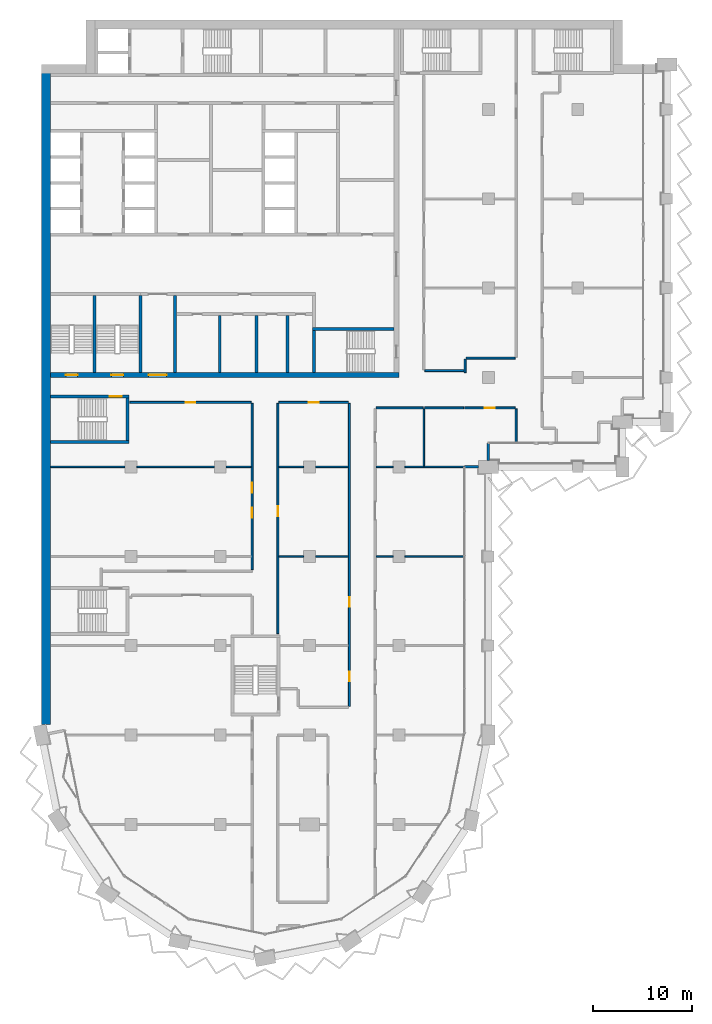
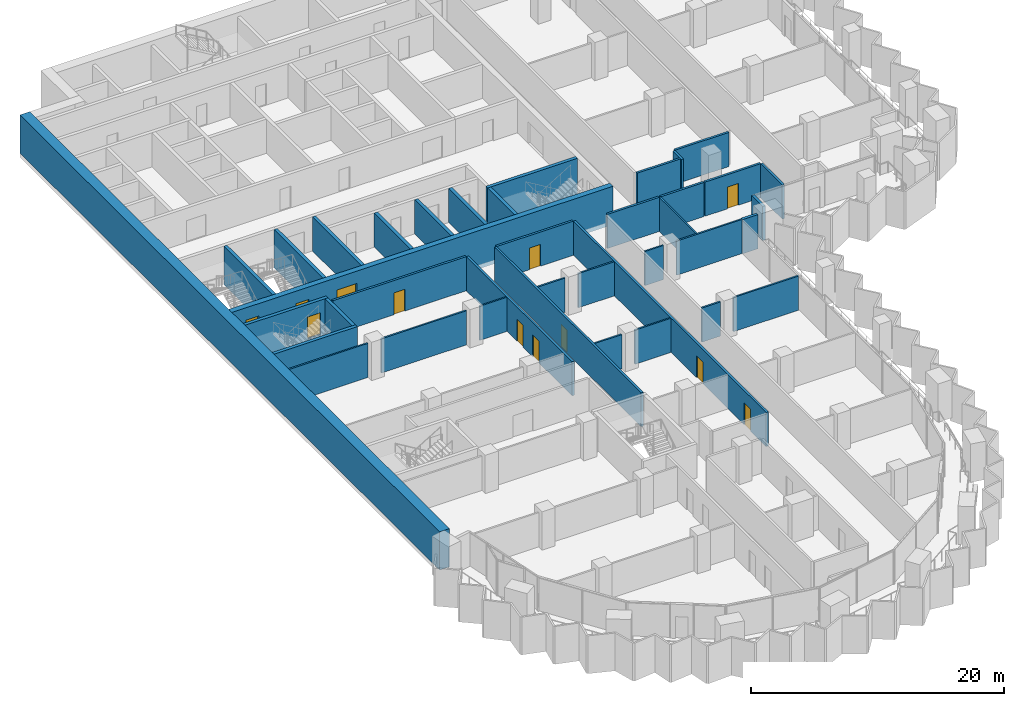
# One storey, part 12 of 23: 39 walls, 12 doors, 12 openings.
"""IFC4 building model written with IfcOpenShell, lengths in metres."""

from ifc_helpers import new_model, si_unit, direction, frame, frame_2d, origin, place, context, subcontext, project, spatial, rectangle, extrude, material, layer, layer_set, type_object, element, fill, save


model = new_model("IFC4")

# Units and contexts
model_context = context("Model", 3, precision=1e-05, world=origin(), true_north=direction((0.0, 1.0)))
body_context = subcontext(model_context, "Body", "Model", "MODEL_VIEW")
ifc_project = project(units=[si_unit("LENGTHUNIT", "METRE"), si_unit("AREAUNIT", "SQUARE_METRE"), si_unit("VOLUMEUNIT", "CUBIC_METRE"), si_unit("PLANEANGLEUNIT", "RADIAN"), si_unit("MASSUNIT", "GRAM", prefix="KILO")], contexts=[model_context])

# Site, building, storey
site_placement = place(None, origin())
site = spatial("IfcSite", under=ifc_project, at=site_placement, CompositionType="ELEMENT")
building_placement = place(site_placement, origin())
building = spatial("IfcBuilding", under=site, at=building_placement, Name="Hunhe Ridgeline Campus", CompositionType="ELEMENT")
storey_placement = place(building_placement, frame((0.0, 0.0, 170.800048828125)))
storey = spatial("IfcBuildingStorey", under=building, at=storey_placement, Name="L43", CompositionType="ELEMENT", Elevation=170.800048828125)

# Walls
ifc_material_1 = material(Name="Masonry concrete blockwork", Category="masonry")
ifc_layer_1 = layer(ifc_material_1, 0.300048828125)
ifc_layer_set_1 = layer_set([ifc_layer_1], Name="Core room partition 300 concrete block")
wall_type_1 = type_object("IfcWallType", Name="Core room partition 300 concrete block", PredefinedType="PARTITIONING", material=ifc_layer_set_1)
wall_1_placement = place(storey_placement, frame((13.449951171875, 63.5, 0.0), z_axis=(0.0, 0.0, 1.0), x_axis=(0.0, 1.0, 0.0)))
element("IfcWall", 1, at=wall_1_placement, inside=storey, type_object=wall_type_1, Name="L43 core partition 43", PredefinedType="PARTITIONING", context=body_context, shape_type="SweptSolid", body=[
    extrude(rectangle(XDim=7.75, YDim=0.300048828125, at=frame_2d((3.875, 0.0))), origin(), (0.0, 0.0, 1.0), 3.300048828125),
])
for number, where, z_axis, x_axis, name in (
    (2, (17.949951171875, 63.5, 0.0), (0.0, 0.0, 1.0), (0.0, 1.0, 0.0), "L43 core partition 46"),
    (3, (21.64990234375, 63.5, 0.0), (0.0, 0.0, 1.0), (0.0, 1.0, 0.0), "L43 core partition 48"),
    (4, (24.75, 63.5, 0.0), (0.0, 0.0, 1.0), (0.0, 1.0, 0.0), "L43 core partition 53"),
):
    element("IfcWall", number, at=place(storey_placement, frame(where, z_axis=z_axis, x_axis=x_axis)), inside=storey, type_object=wall_type_1, Name=name, PredefinedType="PARTITIONING", context=body_context, shape_type="SweptSolid", body=[
        extrude(rectangle(XDim=5.75, YDim=0.300048828125, at=frame_2d((2.875, 0.0))), origin(), (0.0, 0.0, 1.0), 3.300048828125),
    ])

# Wall, openings, doors
ifc_material_2 = material(Name="Concrete C70", Category="concrete")
ifc_layer_2 = layer(ifc_material_2, 0.5)
ifc_layer_set_2 = layer_set([ifc_layer_2], Name="Core wall 500 reinforced concrete C70")
wall_type_2 = type_object("IfcWallType", Name="Core wall 500 reinforced concrete C70", PredefinedType="SOLIDWALL", material=ifc_layer_set_2)
wall_2_placement = place(storey_placement, frame((0.89990234375, 63.25, -0.400146484375), z_axis=(0.0, 0.0, 1.0), x_axis=(1.0, 0.0, 0.0)))
wall_2 = element("IfcWall", 5, at=wall_2_placement, inside=storey, type_object=wall_type_2, Name="L43 core wall 7", PredefinedType="SOLIDWALL", context=body_context, shape_type="SweptSolid", body=[
    extrude(rectangle(XDim=35.10009765625, YDim=0.5, at=frame_2d((17.550048828125, 0.0))), origin(), (0.0, 0.0, 1.0), 3.7001953125),
])
opening_1_placement = place(wall_2_placement, frame((9.89990234375, 0.0, 0.39990234375)))
opening_1 = element("IfcOpeningElement", 6, at=opening_1_placement, cuts=wall_2, Name="Opening CD6", PredefinedType="OPENING", context=body_context, shape_type="SweptSolid", body=[
    extrude(rectangle(XDim=1.800048828125, YDim=2.10009765625, at=frame_2d((0.89990234375, 1.050048828125))), frame((0.0, 0.25, 0.0), z_axis=(0.0, -1.0, 0.0), x_axis=(1.0, 0.0, 0.0)), (0.0, 0.0, 1.0), 0.5),
])
opening_2_placement = place(wall_2_placement, frame((1.550048828125, 0.0, 0.39990234375)))
opening_2 = element("IfcOpeningElement", 7, at=opening_2_placement, cuts=wall_2, Name="Opening CD13", PredefinedType="OPENING", context=body_context, shape_type="SweptSolid", body=[
    extrude(rectangle(XDim=1.199951171875, YDim=2.10009765625, at=frame_2d((0.60009765625, 1.050048828125))), frame((0.0, 0.25, 0.0), z_axis=(0.0, -1.0, 0.0), x_axis=(1.0, 0.0, 0.0)), (0.0, 0.0, 1.0), 0.5),
])
opening_3_placement = place(wall_2_placement, frame((6.14990234375, 0.0, 0.39990234375)))
opening_3 = element("IfcOpeningElement", 8, at=opening_3_placement, cuts=wall_2, Name="Opening CD14", PredefinedType="OPENING", context=body_context, shape_type="SweptSolid", body=[
    extrude(rectangle(XDim=1.199951171875, YDim=2.10009765625, at=frame_2d((0.60009765625, 1.050048828125))), frame((0.0, 0.25, 0.0), z_axis=(0.0, -1.0, 0.0), x_axis=(1.0, 0.0, 0.0)), (0.0, 0.0, 1.0), 0.5),
])
ifc_material_3 = material(Name="Anodised aluminium and glass", Category="aluminium")
door_type_1 = type_object("IfcDoorType", Name="Glazed double door 1800x2100", OperationType="DOUBLE_DOOR_SINGLE_SWING", PredefinedType="DOOR", material=ifc_material_3)
door_1_placement = place(opening_1_placement, frame((1.800048828125, 0.0, 0.0), z_axis=(0.0, 0.0, 1.0), x_axis=(-1.0, 0.0, 0.0)))
door_1 = element("IfcDoor", 9, at=door_1_placement, inside=storey, type_object=door_type_1, Name="L43 door VEST-FLOOR", OperationType="DOUBLE_DOOR_SINGLE_SWING", OverallHeight=2.10009765625, OverallWidth=1.800048828125, PredefinedType="DOOR", context=body_context, shape_type="SweptSolid", body=[
    extrude(rectangle(XDim=1.800048828125, YDim=2.10009765625, at=frame_2d((0.89990234375, 1.050048828125))), frame((0.0, 0.02490234375, 0.0), z_axis=(0.0, -1.0, 0.0), x_axis=(1.0, 0.0, 0.0)), (0.0, 0.0, 1.0), 0.050048828125),
])
fill(opening_1, door_1)
ifc_material_4 = material(Name="Hollow metal fire door leaf")
door_type_2 = type_object("IfcDoorType", Name="Stair door 1200x2100 FD60", OperationType="SINGLE_SWING_LEFT", PredefinedType="DOOR", material=ifc_material_4)
door_2_placement = place(opening_2_placement, frame((1.199951171875, 0.0, 0.0), z_axis=(0.0, 0.0, 1.0), x_axis=(-1.0, 0.0, 0.0)))
door_2 = element("IfcDoor", 10, at=door_2_placement, inside=storey, type_object=door_type_2, Name="L43 door S3", OperationType="SINGLE_SWING_RIGHT", OverallHeight=2.10009765625, OverallWidth=1.199951171875, PredefinedType="DOOR", context=body_context, shape_type="SweptSolid", body=[
    extrude(rectangle(XDim=1.199951171875, YDim=2.10009765625, at=frame_2d((0.60009765625, 1.050048828125))), frame((0.0, 0.02490234375, 0.0), z_axis=(0.0, -1.0, 0.0), x_axis=(1.0, 0.0, 0.0)), (0.0, 0.0, 1.0), 0.050048828125),
])
fill(opening_2, door_2)
door_3_placement = place(opening_3_placement, frame((1.199951171875, 0.0, 0.0), z_axis=(0.0, 0.0, 1.0), x_axis=(-1.0, 0.0, 0.0)))
door_3 = element("IfcDoor", 11, at=door_3_placement, inside=storey, type_object=door_type_2, Name="L43 door S4", OperationType="SINGLE_SWING_LEFT", OverallHeight=2.10009765625, OverallWidth=1.199951171875, PredefinedType="DOOR", context=body_context, shape_type="SweptSolid", body=[
    extrude(rectangle(XDim=1.199951171875, YDim=2.10009765625, at=frame_2d((0.60009765625, 1.050048828125))), frame((0.0, 0.02490234375, 0.0), z_axis=(0.0, -1.0, 0.0), x_axis=(1.0, 0.0, 0.0)), (0.0, 0.0, 1.0), 0.050048828125),
])
fill(opening_3, door_3)

# Walls
ifc_material_5 = material(Name="Concrete C30", Category="concrete")
ifc_layer_3 = layer(ifc_material_5, 0.25)
ifc_layer_set_3 = layer_set([ifc_layer_3], Name="Corner return wall 250 Concrete C30")
wall_type_3 = type_object("IfcWallType", Name="Corner return wall 250 Concrete C30", PredefinedType="SOLIDWALL", material=ifc_layer_set_3)
wall_3_placement = place(storey_placement, frame((42.59912109375, 54.00048828125, 0.0), z_axis=(0.0, 0.0, 1.0), x_axis=(0.999999984814, 0.000174276749, 0.0)))
element("IfcWall", 12, at=wall_3_placement, inside=storey, type_object=wall_type_3, Name="Corner return wall 2", PredefinedType="SOLIDWALL", context=body_context, shape_type="SweptSolid", body=[
    extrude(rectangle(XDim=1.40087890625, YDim=0.25, at=frame_2d((0.700439453125, 0.0))), origin(), (0.0, 0.0, 1.0), 3.300048828125),
])
wall_4_placement = place(storey_placement, frame((44.999267578125, 54.64990234375, 0.0), z_axis=(0.0, 0.0, 1.0), x_axis=(0.000278862231, 0.999999961118, 0.0)))
element("IfcWall", 13, at=wall_4_placement, inside=storey, type_object=wall_type_3, Name="Corner return wall 3", PredefinedType="SOLIDWALL", context=body_context, shape_type="SweptSolid", body=[
    extrude(rectangle(XDim=1.7509765625, YDim=0.25, at=frame_2d((0.87548828125, 0.0))), origin(), (0.0, 0.0, 1.0), 3.300048828125),
])
ifc_material_6 = material(Name="Gypsum board partition")
ifc_layer_4 = layer(ifc_material_6, 0.199951171875)
ifc_layer_set_4 = layer_set([ifc_layer_4], Name="Corridor partition 200 gypsum board on steel studs")
wall_type_4 = type_object("IfcWallType", Name="Corridor partition 200 gypsum board on steel studs", PredefinedType="PARTITIONING", material=ifc_layer_set_4)
wall_5_placement = place(storey_placement, frame((38.425048828125, 59.950927734375, 0.0), z_axis=(0.0, 0.0, 1.0), x_axis=(-1.0, 0.0, 0.0)))
element("IfcWall", 14, at=wall_5_placement, inside=storey, type_object=wall_type_4, Name="F-L43-wall-043", PredefinedType="PARTITIONING", context=body_context, shape_type="SweptSolid", body=[
    extrude(rectangle(XDim=4.72509765625, YDim=0.199951171875, at=frame_2d((2.362548828125, 0.0))), origin(), (0.0, 0.0, 1.0), 3.300048828125),
])
wall_6_placement = place(storey_placement, frame((42.5, 59.950927734375, 0.0), z_axis=(0.0, 0.0, 1.0), x_axis=(-1.0, 0.0, 0.0)))
element("IfcWall", 15, at=wall_6_placement, inside=storey, type_object=wall_type_4, Name="F-L43-wall-044", PredefinedType="PARTITIONING", context=body_context, shape_type="SweptSolid", body=[
    extrude(rectangle(XDim=3.925048828125, YDim=0.199951171875, at=frame_2d((1.96240234375, 0.0))), origin(), (0.0, 0.0, 1.0), 3.300048828125),
])

# Wall, opening, door
wall_7_placement = place(storey_placement, frame((47.699951171875, 59.950927734375, 0.0), z_axis=(0.0, 0.0, 1.0), x_axis=(-1.0, 0.0, 0.0)))
wall_7 = element("IfcWall", 16, at=wall_7_placement, inside=storey, type_object=wall_type_4, Name="F-L43-wall-045", PredefinedType="PARTITIONING", context=body_context, shape_type="SweptSolid", body=[
    extrude(rectangle(XDim=5.099853515625, YDim=0.199951171875, at=frame_2d((2.5498046875, 0.0))), origin(), (0.0, 0.0, 1.0), 3.300048828125),
])
opening_4_placement = place(wall_7_placement, frame((2.050048828125, 0.0, 0.0)))
opening_4 = element("IfcOpeningElement", 17, at=opening_4_placement, cuts=wall_7, Name="Opening RD1-023", PredefinedType="OPENING", context=body_context, shape_type="SweptSolid", body=[
    extrude(rectangle(XDim=1.0, YDim=2.10009765625, at=frame_2d((0.5, 1.050048828125))), frame((0.0, 0.10009765625, 0.0), z_axis=(0.0, -1.0, 0.0), x_axis=(1.0, 0.0, 0.0)), (0.0, 0.0, 1.0), 0.199951171875),
])
ifc_material_7 = material(Name="Timber door leaf", Category="wood")
door_type_3 = type_object("IfcDoorType", Name="Single fire door 1000x2100 timber FD60", OperationType="NOTDEFINED", PredefinedType="DOOR", material=ifc_material_7)
door_4_placement = place(opening_4_placement, origin())
door_4 = element("IfcDoor", 18, at=door_4_placement, inside=storey, type_object=door_type_3, Name="F-L43-door-023", OperationType="SINGLE_SWING_LEFT", OverallHeight=2.10009765625, OverallWidth=1.0, PredefinedType="DOOR", context=body_context, shape_type="SweptSolid", body=[
    extrude(rectangle(XDim=1.0, YDim=2.10009765625, at=frame_2d((0.5, 1.050048828125))), frame((0.0, 0.02490234375, 0.0), z_axis=(0.0, -1.0, 0.0), x_axis=(1.0, 0.0, 0.0)), (0.0, 0.0, 1.0), 0.050048828125),
])
fill(opening_4, door_4)

wall_8_placement = place(storey_placement, frame((21.10009765625, 60.5, 0.0), z_axis=(0.0, 0.0, 1.0), x_axis=(-1.0, 0.0, 0.0)))
wall_8 = element("IfcWall", 19, at=wall_8_placement, inside=storey, type_object=wall_type_4, Name="F-L43-wall-046", PredefinedType="PARTITIONING", context=body_context, shape_type="SweptSolid", body=[
    extrude(rectangle(XDim=12.196044921875, YDim=0.199951171875, at=frame_2d((6.09814453125, 0.0))), origin(), (0.0, 0.0, 1.0), 3.300048828125),
])
opening_5_placement = place(wall_8_placement, frame((5.597900390625, 0.0, 0.0)))
opening_5 = element("IfcOpeningElement", 20, at=opening_5_placement, cuts=wall_8, Name="Opening RD1-024", PredefinedType="OPENING", context=body_context, shape_type="SweptSolid", body=[
    extrude(rectangle(XDim=1.0, YDim=2.10009765625, at=frame_2d((0.5, 1.050048828125))), frame((0.0, 0.10009765625, 0.0), z_axis=(0.0, -1.0, 0.0), x_axis=(1.0, 0.0, 0.0)), (0.0, 0.0, 1.0), 0.199951171875),
])
door_5_placement = place(opening_5_placement, origin())
door_5 = element("IfcDoor", 21, at=door_5_placement, inside=storey, type_object=door_type_3, Name="F-L43-door-024", OperationType="SINGLE_SWING_LEFT", OverallHeight=2.10009765625, OverallWidth=1.0, PredefinedType="DOOR", context=body_context, shape_type="SweptSolid", body=[
    extrude(rectangle(XDim=1.0, YDim=2.10009765625, at=frame_2d((0.5, 1.050048828125))), frame((0.0, 0.02490234375, 0.0), z_axis=(0.0, -1.0, 0.0), x_axis=(1.0, 0.0, 0.0)), (0.0, 0.0, 1.0), 0.050048828125),
])
fill(opening_5, door_5)

wall_9_placement = place(storey_placement, frame((30.89990234375, 60.5, 0.0), z_axis=(0.0, 0.0, 1.0), x_axis=(-1.0, 0.0, 0.0)))
wall_9 = element("IfcWall", 22, at=wall_9_placement, inside=storey, type_object=wall_type_4, Name="F-L43-wall-047", PredefinedType="PARTITIONING", context=body_context, shape_type="SweptSolid", body=[
    extrude(rectangle(XDim=7.0, YDim=0.199951171875, at=frame_2d((3.5, 0.0))), origin(), (0.0, 0.0, 1.0), 3.300048828125),
])
opening_6_placement = place(wall_9_placement, frame((3.0, 0.0, 0.0)))
opening_6 = element("IfcOpeningElement", 23, at=opening_6_placement, cuts=wall_9, Name="Opening RD1-025", PredefinedType="OPENING", context=body_context, shape_type="SweptSolid", body=[
    extrude(rectangle(XDim=1.0, YDim=2.10009765625, at=frame_2d((0.5, 1.050048828125))), frame((0.0, 0.10009765625, 0.0), z_axis=(0.0, -1.0, 0.0), x_axis=(1.0, 0.0, 0.0)), (0.0, 0.0, 1.0), 0.199951171875),
])
door_6_placement = place(opening_6_placement, origin())
door_6 = element("IfcDoor", 24, at=door_6_placement, inside=storey, type_object=door_type_3, Name="F-L43-door-025", OperationType="SINGLE_SWING_RIGHT", OverallHeight=2.10009765625, OverallWidth=1.0, PredefinedType="DOOR", context=body_context, shape_type="SweptSolid", body=[
    extrude(rectangle(XDim=1.0, YDim=2.10009765625, at=frame_2d((0.5, 1.050048828125))), frame((0.0, 0.02490234375, 0.0), z_axis=(0.0, -1.0, 0.0), x_axis=(1.0, 0.0, 0.0)), (0.0, 0.0, 1.0), 0.050048828125),
])
fill(opening_6, door_6)

# Walls
wall_10_placement = place(storey_placement, frame((38.60009765625, 63.699951171875, 0.0), z_axis=(0.0, 0.0, 1.0), x_axis=(1.0, 0.0, 0.0)))
element("IfcWall", 25, at=wall_10_placement, inside=storey, type_object=wall_type_4, Name="F-L43-wall-050", PredefinedType="PARTITIONING", context=body_context, shape_type="SweptSolid", body=[
    extrude(rectangle(XDim=3.949951171875, YDim=0.199951171875, at=frame_2d((1.97509765625, 0.0))), origin(), (0.0, 0.0, 1.0), 3.300048828125),
])
wall_11_placement = place(storey_placement, frame((42.75, 64.949951171875, 0.0), z_axis=(0.0, 0.0, 1.0), x_axis=(1.0, 0.0, 0.0)))
element("IfcWall", 26, at=wall_11_placement, inside=storey, type_object=wall_type_4, Name="F-L43-wall-051", PredefinedType="PARTITIONING", context=body_context, shape_type="SweptSolid", body=[
    extrude(rectangle(XDim=4.949951171875, YDim=0.199951171875, at=frame_2d((2.47509765625, 0.0))), origin(), (0.0, 0.0, 1.0), 3.300048828125),
])

# Wall, openings, doors
wall_12_placement = place(storey_placement, frame((21.199951171875, 43.6474609375, 0.0), z_axis=(0.0, 0.0, 1.0), x_axis=(0.0, 1.0, 0.0)))
wall_12 = element("IfcWall", 27, at=wall_12_placement, inside=storey, type_object=wall_type_4, Name="F-L43-wall-065", PredefinedType="PARTITIONING", context=body_context, shape_type="SweptSolid", body=[
    extrude(rectangle(XDim=16.75244140625, YDim=0.199951171875, at=frame_2d((8.376220703125, 0.0))), origin(), (0.0, 0.0, 1.0), 3.300048828125),
])
opening_7_placement = place(wall_12_placement, frame((5.250732421875, 0.0, 0.0)))
opening_7 = element("IfcOpeningElement", 28, at=opening_7_placement, cuts=wall_12, Name="Opening RD1-018", PredefinedType="OPENING", context=body_context, shape_type="SweptSolid", body=[
    extrude(rectangle(XDim=1.0, YDim=2.10009765625, at=frame_2d((0.5, 1.050048828125))), frame((0.0, 0.10009765625, 0.0), z_axis=(0.0, -1.0, 0.0), x_axis=(1.0, 0.0, 0.0)), (0.0, 0.0, 1.0), 0.199951171875),
])
opening_8_placement = place(wall_12_placement, frame((7.750732421875, 0.0, 0.0)))
opening_8 = element("IfcOpeningElement", 29, at=opening_8_placement, cuts=wall_12, Name="Opening RD1-021", PredefinedType="OPENING", context=body_context, shape_type="SweptSolid", body=[
    extrude(rectangle(XDim=1.0, YDim=2.10009765625, at=frame_2d((0.5, 1.050048828125))), frame((0.0, 0.10009765625, 0.0), z_axis=(0.0, -1.0, 0.0), x_axis=(1.0, 0.0, 0.0)), (0.0, 0.0, 1.0), 0.199951171875),
])
door_7_placement = place(opening_7_placement, frame((1.0, 0.0, 0.0), z_axis=(0.0, 0.0, 1.0), x_axis=(-1.0, 0.0, 0.0)))
door_7 = element("IfcDoor", 30, at=door_7_placement, inside=storey, type_object=door_type_3, Name="F-L43-door-018", OperationType="SINGLE_SWING_LEFT", OverallHeight=2.10009765625, OverallWidth=1.0, PredefinedType="DOOR", context=body_context, shape_type="SweptSolid", body=[
    extrude(rectangle(XDim=1.0, YDim=2.10009765625, at=frame_2d((0.5, 1.050048828125))), frame((0.0, 0.02490234375, 0.0), z_axis=(0.0, -1.0, 0.0), x_axis=(1.0, 0.0, 0.0)), (0.0, 0.0, 1.0), 0.050048828125),
])
fill(opening_7, door_7)
door_8_placement = place(opening_8_placement, frame((1.0, 0.0, 0.0), z_axis=(0.0, 0.0, 1.0), x_axis=(-1.0, 0.0, 0.0)))
door_8 = element("IfcDoor", 31, at=door_8_placement, inside=storey, type_object=door_type_3, Name="F-L43-door-021", OperationType="SINGLE_SWING_LEFT", OverallHeight=2.10009765625, OverallWidth=1.0, PredefinedType="DOOR", context=body_context, shape_type="SweptSolid", body=[
    extrude(rectangle(XDim=1.0, YDim=2.10009765625, at=frame_2d((0.5, 1.050048828125))), frame((0.0, 0.02490234375, 0.0), z_axis=(0.0, -1.0, 0.0), x_axis=(1.0, 0.0, 0.0)), (0.0, 0.0, 1.0), 0.050048828125),
])
fill(opening_8, door_8)

# Wall, opening, door
wall_13_placement = place(storey_placement, frame((23.800048828125, 60.39990234375, 0.0), z_axis=(0.0, 0.0, 1.0), x_axis=(0.0, -1.0, 0.0)))
wall_13 = element("IfcWall", 32, at=wall_13_placement, inside=storey, type_object=wall_type_4, Name="F-L43-wall-068", PredefinedType="PARTITIONING", context=body_context, shape_type="SweptSolid", body=[
    extrude(rectangle(XDim=23.19580078125, YDim=0.199951171875, at=frame_2d((11.597900390625, 0.0))), origin(), (0.0, 0.0, 1.0), 3.300048828125),
])
opening_9_placement = place(wall_13_placement, frame((10.341552734375, 0.0, 0.0)))
opening_9 = element("IfcOpeningElement", 33, at=opening_9_placement, cuts=wall_13, Name="Opening RD1-019", PredefinedType="OPENING", context=body_context, shape_type="SweptSolid", body=[
    extrude(rectangle(XDim=1.0, YDim=2.10009765625, at=frame_2d((0.5, 1.050048828125))), frame((0.0, 0.10009765625, 0.0), z_axis=(0.0, -1.0, 0.0), x_axis=(1.0, 0.0, 0.0)), (0.0, 0.0, 1.0), 0.199951171875),
])
door_9_placement = place(opening_9_placement, origin())
door_9 = element("IfcDoor", 34, at=door_9_placement, inside=storey, type_object=door_type_3, Name="F-L43-door-019", OperationType="SINGLE_SWING_RIGHT", OverallHeight=2.10009765625, OverallWidth=1.0, PredefinedType="DOOR", context=body_context, shape_type="SweptSolid", body=[
    extrude(rectangle(XDim=1.0, YDim=2.10009765625, at=frame_2d((0.5, 1.050048828125))), frame((0.0, 0.02490234375, 0.0), z_axis=(0.0, -1.0, 0.0), x_axis=(1.0, 0.0, 0.0)), (0.0, 0.0, 1.0), 0.050048828125),
])
fill(opening_9, door_9)

# Wall, openings, doors
wall_14_placement = place(storey_placement, frame((31.0, 29.89892578125, 0.0), z_axis=(0.0, 0.0, 1.0), x_axis=(0.0, 1.0, 0.0)))
wall_14 = element("IfcWall", 35, at=wall_14_placement, inside=storey, type_object=wall_type_4, Name="F-L43-wall-071", PredefinedType="PARTITIONING", context=body_context, shape_type="SweptSolid", body=[
    extrude(rectangle(XDim=30.5009765625, YDim=0.199951171875, at=frame_2d((15.25048828125, 0.0))), origin(), (0.0, 0.0, 1.0), 3.300048828125),
])
opening_10_placement = place(wall_14_placement, frame((2.5, 0.0, 0.0)))
opening_10 = element("IfcOpeningElement", 36, at=opening_10_placement, cuts=wall_14, Name="Opening RD1-012", PredefinedType="OPENING", context=body_context, shape_type="SweptSolid", body=[
    extrude(rectangle(XDim=1.0, YDim=2.10009765625, at=frame_2d((0.5, 1.050048828125))), frame((0.0, 0.10009765625, 0.0), z_axis=(0.0, -1.0, 0.0), x_axis=(1.0, 0.0, 0.0)), (0.0, 0.0, 1.0), 0.199951171875),
])
opening_11_placement = place(wall_14_placement, frame((10.000244140625, 0.0, 0.0)))
opening_11 = element("IfcOpeningElement", 37, at=opening_11_placement, cuts=wall_14, Name="Opening RD1-014", PredefinedType="OPENING", context=body_context, shape_type="SweptSolid", body=[
    extrude(rectangle(XDim=1.0, YDim=2.10009765625, at=frame_2d((0.5, 1.050048828125))), frame((0.0, 0.10009765625, 0.0), z_axis=(0.0, -1.0, 0.0), x_axis=(1.0, 0.0, 0.0)), (0.0, 0.0, 1.0), 0.199951171875),
])
door_10_placement = place(opening_10_placement, origin())
door_10 = element("IfcDoor", 38, at=door_10_placement, inside=storey, type_object=door_type_3, Name="F-L43-door-012", OperationType="SINGLE_SWING_RIGHT", OverallHeight=2.10009765625, OverallWidth=1.0, PredefinedType="DOOR", context=body_context, shape_type="SweptSolid", body=[
    extrude(rectangle(XDim=1.0, YDim=2.10009765625, at=frame_2d((0.5, 1.050048828125))), frame((0.0, 0.02490234375, 0.0), z_axis=(0.0, -1.0, 0.0), x_axis=(1.0, 0.0, 0.0)), (0.0, 0.0, 1.0), 0.050048828125),
])
fill(opening_10, door_10)
door_11_placement = place(opening_11_placement, origin())
door_11 = element("IfcDoor", 39, at=door_11_placement, inside=storey, type_object=door_type_3, Name="F-L43-door-014", OperationType="SINGLE_SWING_RIGHT", OverallHeight=2.10009765625, OverallWidth=1.0, PredefinedType="DOOR", context=body_context, shape_type="SweptSolid", body=[
    extrude(rectangle(XDim=1.0, YDim=2.10009765625, at=frame_2d((0.5, 1.050048828125))), frame((0.0, 0.02490234375, 0.0), z_axis=(0.0, -1.0, 0.0), x_axis=(1.0, 0.0, 0.0)), (0.0, 0.0, 1.0), 0.050048828125),
])
fill(opening_11, door_11)

# Walls
wall_15_placement = place(storey_placement, frame((42.64990234375, 63.487548828125, 0.0), z_axis=(0.0, 0.0, 1.0), x_axis=(0.0, 1.0, 0.0)))
element("IfcWall", 40, at=wall_15_placement, inside=storey, type_object=wall_type_4, Name="F-L43-wall-075", PredefinedType="PARTITIONING", context=body_context, shape_type="SweptSolid", body=[
    extrude(rectangle(XDim=1.362548828125, YDim=0.199951171875, at=frame_2d((0.68115234375, 0.0))), origin(), (0.0, 0.0, 1.0), 3.300048828125),
])
wall_16_placement = place(storey_placement, frame((47.800048828125, 56.455078125, 0.0), z_axis=(0.0, 0.0, 1.0), x_axis=(0.0, 1.0, 0.0)))
element("IfcWall", 41, at=wall_16_placement, inside=storey, type_object=wall_type_4, Name="F-L43-wall-076", PredefinedType="PARTITIONING", context=body_context, shape_type="SweptSolid", body=[
    extrude(rectangle(XDim=3.39599609375, YDim=0.199951171875, at=frame_2d((1.697998046875, 0.0))), origin(), (0.0, 0.0, 1.0), 3.300048828125),
])
ifc_layer_5 = layer(ifc_material_6, 0.14990234375)
ifc_layer_set_5 = layer_set([ifc_layer_5], Name="Room partition 150 gypsum board on steel studs")
wall_type_5 = type_object("IfcWallType", Name="Room partition 150 gypsum board on steel studs", PredefinedType="PARTITIONING", material=ifc_layer_set_5)
wall_17_placement = place(storey_placement, frame((23.89990234375, 45.0, 0.0), z_axis=(0.0, 0.0, 1.0), x_axis=(1.0, 0.0, 0.0)))
element("IfcWall", 42, at=wall_17_placement, inside=storey, type_object=wall_type_5, Name="F-L43-wall-031", PredefinedType="PARTITIONING", context=body_context, shape_type="SweptSolid", body=[
    extrude(rectangle(XDim=2.5, YDim=0.14990234375, at=frame_2d((1.25, 0.0))), origin(), (0.0, 0.0, 1.0), 3.300048828125),
])
wall_18_placement = place(storey_placement, frame((27.60009765625, 45.0, 0.0), z_axis=(0.0, 0.0, 1.0), x_axis=(1.0, 0.0, 0.0)))
element("IfcWall", 43, at=wall_18_placement, inside=storey, type_object=wall_type_5, Name="F-L43-wall-032", PredefinedType="PARTITIONING", context=body_context, shape_type="SweptSolid", body=[
    extrude(rectangle(XDim=3.2998046875, YDim=0.14990234375, at=frame_2d((1.64990234375, 0.0))), origin(), (0.0, 0.0, 1.0), 3.300048828125),
])
wall_19_placement = place(storey_placement, frame((33.699951171875, 45.0, 0.0), z_axis=(0.0, 0.0, 1.0), x_axis=(1.0, 0.0, 0.0)))
element("IfcWall", 44, at=wall_19_placement, inside=storey, type_object=wall_type_5, Name="F-L43-wall-033", PredefinedType="PARTITIONING", context=body_context, shape_type="SweptSolid", body=[
    extrude(rectangle(XDim=1.699951171875, YDim=0.14990234375, at=frame_2d((0.85009765625, 0.0))), origin(), (0.0, 0.0, 1.0), 3.300048828125),
])
wall_20_placement = place(storey_placement, frame((36.60009765625, 45.0, 0.0), z_axis=(0.0, 0.0, 1.0), x_axis=(1.0, 0.0, 0.0)))
element("IfcWall", 45, at=wall_20_placement, inside=storey, type_object=wall_type_5, Name="F-L43-wall-034", PredefinedType="PARTITIONING", context=body_context, shape_type="SweptSolid", body=[
    extrude(rectangle(XDim=5.945068359375, YDim=0.14990234375, at=frame_2d((2.97265625, 0.0))), origin(), (0.0, 0.0, 1.0), 3.300048828125),
])
wall_21_placement = place(storey_placement, frame((0.919921875, 54.0, 0.0), z_axis=(0.0, 0.0, 1.0), x_axis=(1.0, 0.0, 0.0)))
element("IfcWall", 46, at=wall_21_placement, inside=storey, type_object=wall_type_5, Name="F-L43-wall-035", PredefinedType="PARTITIONING", context=body_context, shape_type="SweptSolid", body=[
    extrude(rectangle(XDim=7.47998046875, YDim=0.14990234375, at=frame_2d((3.739990234375, 0.0))), origin(), (0.0, 0.0, 1.0), 3.300048828125),
])
wall_22_placement = place(storey_placement, frame((9.60009765625, 54.0, 0.0), z_axis=(0.0, 0.0, 1.0), x_axis=(1.0, 0.0, 0.0)))
element("IfcWall", 47, at=wall_22_placement, inside=storey, type_object=wall_type_5, Name="F-L43-wall-036", PredefinedType="PARTITIONING", context=body_context, shape_type="SweptSolid", body=[
    extrude(rectangle(XDim=7.7998046875, YDim=0.14990234375, at=frame_2d((3.89990234375, 0.0))), origin(), (0.0, 0.0, 1.0), 3.300048828125),
])
for number, where, z_axis, x_axis, name in (
    (48, (18.60009765625, 54.0, 0.0), (0.0, 0.0, 1.0), (1.0, 0.0, 0.0), "F-L43-wall-037"),
    (49, (23.89990234375, 54.0, 0.0), (0.0, 0.0, 1.0), (1.0, 0.0, 0.0), "F-L43-wall-038"),
):
    element("IfcWall", number, at=place(storey_placement, frame(where, z_axis=z_axis, x_axis=x_axis)), inside=storey, type_object=wall_type_5, Name=name, PredefinedType="PARTITIONING", context=body_context, shape_type="SweptSolid", body=[
        extrude(rectangle(XDim=2.5, YDim=0.14990234375, at=frame_2d((1.25, 0.0))), origin(), (0.0, 0.0, 1.0), 3.300048828125),
    ])
wall_23_placement = place(storey_placement, frame((27.60009765625, 54.0, 0.0), z_axis=(0.0, 0.0, 1.0), x_axis=(1.0, 0.0, 0.0)))
element("IfcWall", 50, at=wall_23_placement, inside=storey, type_object=wall_type_5, Name="F-L43-wall-039", PredefinedType="PARTITIONING", context=body_context, shape_type="SweptSolid", body=[
    extrude(rectangle(XDim=3.2998046875, YDim=0.14990234375, at=frame_2d((1.64990234375, 0.0))), origin(), (0.0, 0.0, 1.0), 3.300048828125),
])
wall_24_placement = place(storey_placement, frame((33.699951171875, 54.0, 0.0), z_axis=(0.0, 0.0, 1.0), x_axis=(1.0, 0.0, 0.0)))
element("IfcWall", 51, at=wall_24_placement, inside=storey, type_object=wall_type_5, Name="F-L43-wall-040", PredefinedType="PARTITIONING", context=body_context, shape_type="SweptSolid", body=[
    extrude(rectangle(XDim=1.699951171875, YDim=0.14990234375, at=frame_2d((0.85009765625, 0.0))), origin(), (0.0, 0.0, 1.0), 3.300048828125),
])
wall_25_placement = place(storey_placement, frame((36.60009765625, 54.0, 0.0), z_axis=(0.0, 0.0, 1.0), x_axis=(1.0, 0.0, 0.0)))
element("IfcWall", 52, at=wall_25_placement, inside=storey, type_object=wall_type_5, Name="F-L43-wall-041", PredefinedType="PARTITIONING", context=body_context, shape_type="SweptSolid", body=[
    extrude(rectangle(XDim=5.945068359375, YDim=0.14990234375, at=frame_2d((2.97265625, 0.0))), origin(), (0.0, 0.0, 1.0), 3.300048828125),
])
wall_26_placement = place(storey_placement, frame((38.5, 59.85107421875, 0.0), z_axis=(0.0, 0.0, 1.0), x_axis=(0.0, -1.0, 0.0)))
element("IfcWall", 53, at=wall_26_placement, inside=storey, type_object=wall_type_5, Name="F-L43-wall-073", PredefinedType="PARTITIONING", context=body_context, shape_type="SweptSolid", body=[
    extrude(rectangle(XDim=5.776123046875, YDim=0.14990234375, at=frame_2d((2.88818359375, 0.0))), origin(), (0.0, 0.0, 1.0), 3.300048828125),
])
ifc_layer_6 = layer(ifc_material_2, 0.89990234375)
ifc_layer_set_6 = layer_set([ifc_layer_6], Name="Spine wall 900 Concrete C70")
wall_type_6 = type_object("IfcWallType", Name="Spine wall 900 Concrete C70", PredefinedType="SHEAR", material=ifc_layer_set_6)
wall_27_placement = place(storey_placement, frame((0.449951171875, 94.5, 0.0), z_axis=(0.0, 0.0, 1.0), x_axis=(0.0, -1.0, 0.0)))
element("IfcWall", 54, at=wall_27_placement, inside=storey, type_object=wall_type_6, Name="Spine wall SW2-1 L43", PredefinedType="SHEAR", context=body_context, shape_type="SweptSolid", body=[
    extrude(rectangle(XDim=66.430419921875, YDim=0.89990234375, at=frame_2d((33.21533203125, 0.0))), origin(), (0.0, 0.0, 1.0), 3.699951171875),
])
ifc_layer_7 = layer(ifc_material_2, 0.300048828125)
ifc_layer_set_7 = layer_set([ifc_layer_7], Name="Stair wall 300 reinforced concrete C70")
wall_type_7 = type_object("IfcWallType", Name="Stair wall 300 reinforced concrete C70", PredefinedType="SOLIDWALL", material=ifc_layer_set_7)
wall_28_placement = place(storey_placement, frame((0.89990234375, 56.5, -0.400146484375), z_axis=(0.0, 0.0, 1.0), x_axis=(1.0, 0.0, 0.0)))
element("IfcWall", 55, at=wall_28_placement, inside=storey, type_object=wall_type_7, Name="L43 core wall 5", PredefinedType="SOLIDWALL", context=body_context, shape_type="SweptSolid", body=[
    extrude(rectangle(XDim=7.900146484375, YDim=0.300048828125, at=frame_2d((3.9501953125, 0.0))), origin(), (0.0, 0.0, 1.0), 3.7001953125),
])

# Wall, opening, door
wall_29_placement = place(storey_placement, frame((0.89990234375, 61.10009765625, -0.400146484375), z_axis=(0.0, 0.0, 1.0), x_axis=(1.0, 0.0, 0.0)))
wall_29 = element("IfcWall", 56, at=wall_29_placement, inside=storey, type_object=wall_type_7, Name="L43 core wall 6", PredefinedType="SOLIDWALL", context=body_context, shape_type="SweptSolid", body=[
    extrude(rectangle(XDim=7.900146484375, YDim=0.300048828125, at=frame_2d((3.9501953125, 0.0))), origin(), (0.0, 0.0, 1.0), 3.7001953125),
])
opening_12_placement = place(wall_29_placement, frame((6.0, 0.0, 0.39990234375)))
opening_12 = element("IfcOpeningElement", 57, at=opening_12_placement, cuts=wall_29, Name="Opening CD22", PredefinedType="OPENING", context=body_context, shape_type="SweptSolid", body=[
    extrude(rectangle(XDim=1.199951171875, YDim=2.10009765625, at=frame_2d((0.60009765625, 1.050048828125))), frame((0.0, 0.14990234375, 0.0), z_axis=(0.0, -1.0, 0.0), x_axis=(1.0, 0.0, 0.0)), (0.0, 0.0, 1.0), 0.300048828125),
])
door_12_placement = place(opening_12_placement, origin())
door_12 = element("IfcDoor", 58, at=door_12_placement, inside=storey, type_object=door_type_2, Name="L43 door W2", OperationType="SINGLE_SWING_RIGHT", OverallHeight=2.10009765625, OverallWidth=1.199951171875, PredefinedType="DOOR", context=body_context, shape_type="SweptSolid", body=[
    extrude(rectangle(XDim=1.199951171875, YDim=2.10009765625, at=frame_2d((0.60009765625, 1.050048828125))), frame((0.0, 0.02490234375, 0.0), z_axis=(0.0, -1.0, 0.0), x_axis=(1.0, 0.0, 0.0)), (0.0, 0.0, 1.0), 0.050048828125),
])
fill(opening_12, door_12)

# Walls
wall_30_placement = place(storey_placement, frame((27.300048828125, 67.89990234375, -0.400146484375), z_axis=(0.0, 0.0, 1.0), x_axis=(1.0, 0.0, 0.0)))
element("IfcWall", 59, at=wall_30_placement, inside=storey, type_object=wall_type_7, Name="L43 core wall 8", PredefinedType="SOLIDWALL", context=body_context, shape_type="SweptSolid", body=[
    extrude(rectangle(XDim=8.199951171875, YDim=0.300048828125, at=frame_2d((4.10009765625, 0.0))), origin(), (0.0, 0.0, 1.0), 3.7001953125),
])
wall_31_placement = place(storey_placement, frame((5.35009765625, 63.5, -0.400146484375), z_axis=(0.0, 0.0, 1.0), x_axis=(0.0, 1.0, 0.0)))
element("IfcWall", 60, at=wall_31_placement, inside=storey, type_object=wall_type_7, Name="L43 core wall 34", PredefinedType="SOLIDWALL", context=body_context, shape_type="SweptSolid", body=[
    extrude(rectangle(XDim=7.75, YDim=0.300048828125, at=frame_2d((3.875, 0.0))), origin(), (0.0, 0.0, 1.0), 3.7001953125),
])
wall_32_placement = place(storey_placement, frame((8.64990234375, 56.64990234375, -0.400146484375), z_axis=(0.0, 0.0, 1.0), x_axis=(0.0, 1.0, 0.0)))
element("IfcWall", 61, at=wall_32_placement, inside=storey, type_object=wall_type_7, Name="L43 core wall 38", PredefinedType="SOLIDWALL", context=body_context, shape_type="SweptSolid", body=[
    extrude(rectangle(XDim=4.300048828125, YDim=0.300048828125, at=frame_2d((2.14990234375, 0.0))), origin(), (0.0, 0.0, 1.0), 3.7001953125),
])
wall_33_placement = place(storey_placement, frame((9.949951171875, 63.5, -0.400146484375), z_axis=(0.0, 0.0, 1.0), x_axis=(0.0, 1.0, 0.0)))
element("IfcWall", 62, at=wall_33_placement, inside=storey, type_object=wall_type_7, Name="L43 core wall 40", PredefinedType="SOLIDWALL", context=body_context, shape_type="SweptSolid", body=[
    extrude(rectangle(XDim=7.75, YDim=0.300048828125, at=frame_2d((3.875, 0.0))), origin(), (0.0, 0.0, 1.0), 3.7001953125),
])
wall_34_placement = place(storey_placement, frame((27.449951171875, 63.5, -0.400146484375), z_axis=(0.0, 0.0, 1.0), x_axis=(0.0, 1.0, 0.0)))
element("IfcWall", 63, at=wall_34_placement, inside=storey, type_object=wall_type_7, Name="L43 core wall 55", PredefinedType="SOLIDWALL", context=body_context, shape_type="SweptSolid", body=[
    extrude(rectangle(XDim=4.25, YDim=0.300048828125, at=frame_2d((2.125, 0.0))), origin(), (0.0, 0.0, 1.0), 3.7001953125),
])

save(model, "model.ifc")
